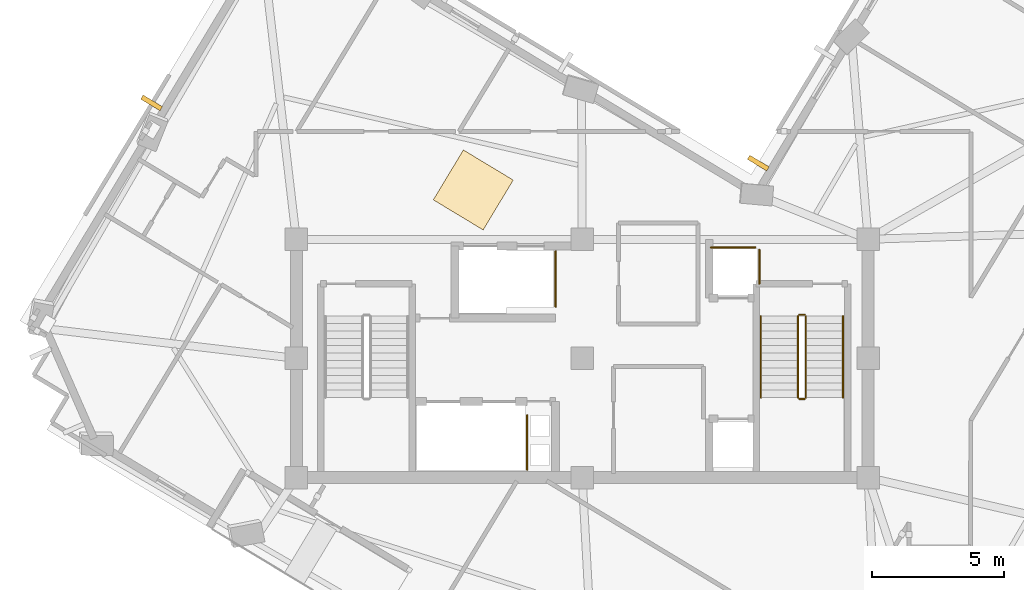
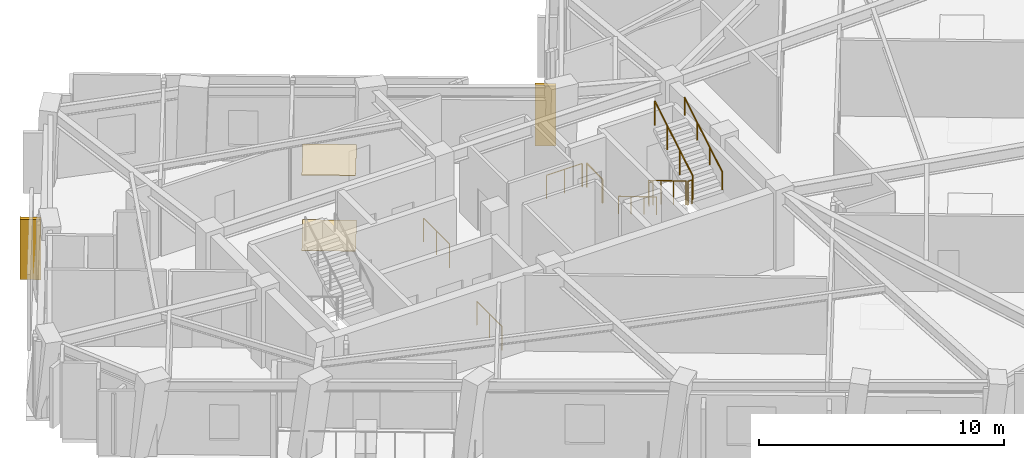
# One storey, part 10 of 12: 10 railings, 2 coverings, 2 shading devices.
"""IFC4 building model written with IfcOpenShell, lengths in metres."""

from ifc_helpers import new_model, si_unit, direction, frame, origin, origin_2d, place, context, subcontext, project, spatial, rectangle, circle, extrude, material, layer, layer_set, type_object, element, save


model = new_model("IFC4")

# Units and contexts
model_context = context("Model", 3, precision=1e-05, world=origin(), true_north=direction((0.0, 1.0)))
body_context = subcontext(model_context, "Body", "Model", "MODEL_VIEW")
ifc_project = project(units=[si_unit("LENGTHUNIT", "METRE"), si_unit("AREAUNIT", "SQUARE_METRE"), si_unit("VOLUMEUNIT", "CUBIC_METRE"), si_unit("PLANEANGLEUNIT", "RADIAN"), si_unit("MASSUNIT", "GRAM", prefix="KILO")], contexts=[model_context])

# Site, building, storey
site_placement = place(None, origin())
site = spatial("IfcSite", under=ifc_project, at=site_placement, CompositionType="ELEMENT")
building_placement = place(site_placement, origin())
building = spatial("IfcBuilding", under=site, at=building_placement, Name="Gaonmaruhae Medical Tower", CompositionType="ELEMENT")
storey_placement = place(building_placement, frame((0.0, 0.0, 276.60009765625)))
storey = spatial("IfcBuildingStorey", under=building, at=storey_placement, Name="L66", CompositionType="ELEMENT", Elevation=276.60009765625)

# Coverings
ifc_material_1 = material(Name="Acoustic mineral ceiling tile", Category="finish")
ifc_layer_1 = layer(ifc_material_1, 0.02490234375)
ifc_layer_set_1 = layer_set([ifc_layer_1], Name="Acoustic mineral ceiling tile")
covering_type_1 = type_object("IfcCoveringType", Name="CLG-01 Antimicrobial Acoustic Mineral Ceiling", PredefinedType="CEILING", material=ifc_layer_set_1)
covering_1_placement = place(storey_placement, frame((20.684814453125, 18.664306640625, 3.7548828125), z_axis=(0.0, 0.0, 1.0), x_axis=(0.516533328867, 0.8562670846, 0.0)))
element("IfcCovering", 1, at=covering_1_placement, inside=storey, type_object=covering_type_1, Name="L66 Clinical Corridor Acoustic Ceiling", PredefinedType="CEILING", context=body_context, shape_type="SweptSolid", body=[
    extrude(rectangle(XDim=2.199951171875, YDim=2.199951171875, at=origin_2d()), origin(), (0.0, 0.0, 1.0), 0.02490234375),
])
ifc_material_2 = material(Name="Seamless clinical vinyl flooring", Category="finish")
ifc_layer_2 = layer(ifc_material_2, 0.014892578125)
ifc_layer_set_2 = layer_set([ifc_layer_2], Name="Seamless clinical vinyl flooring")
covering_type_2 = type_object("IfcCoveringType", Name="FLR-01 Seamless Clinical Antistatic Vinyl Flooring", PredefinedType="FLOORING", material=ifc_layer_set_2)
covering_2_placement = place(storey_placement, frame((20.684814453125, 18.664306640625, 0.00048828125), z_axis=(0.0, 0.0, 1.0), x_axis=(0.516533328867, 0.8562670846, 0.0)))
element("IfcCovering", 2, at=covering_2_placement, inside=storey, type_object=covering_type_2, Name="L66 Clinical Corridor Vinyl Flooring", PredefinedType="FLOORING", context=body_context, shape_type="SweptSolid", body=[
    extrude(rectangle(XDim=2.199951171875, YDim=2.199951171875, at=origin_2d()), origin(), (0.0, 0.0, 1.0), 0.014892578125),
])

# Railings
ifc_material_3 = material(Name="Stainless steel 304 handrail", Category="steel")
railing_type_1 = type_object("IfcRailingType", Name="HR-092 Continuous Stainless Steel Stair Handrail", PredefinedType="HANDRAIL", material=ifc_material_3)
railing_1_placement = place(storey_placement, frame((31.550048828125, 13.89990234375, 0.16650390625)))
element("IfcRailing", 3, at=railing_1_placement, inside=storey, type_object=railing_type_1, Name="L66 ST-02 stair handrail 1", PredefinedType="HANDRAIL", context=body_context, shape_type="SweptSolid", body=[
    extrude(circle(Radius=0.02392578125, at=origin_2d()), frame((0.0, 0.0, 0.8759765625), z_axis=(0.0, -0.859260807169, 0.511537745687), x_axis=(1.0, 0.0, 0.0)), (0.0, 0.0, 1.0), 3.584228515625),
    extrude(circle(Radius=0.02099609375, at=origin_2d()), origin(), (0.0, 0.0, 1.0), 0.851806640625),
    extrude(circle(Radius=0.02099609375, at=origin_2d()), frame((0.0, -1.026611328125, 0.611083984375)), (0.0, 0.0, 1.0), 0.851806640625),
    extrude(circle(Radius=0.02099609375, at=origin_2d()), frame((0.0, -2.05322265625, 1.222412109375)), (0.0, 0.0, 1.0), 0.851806640625),
    extrude(circle(Radius=0.02099609375, at=origin_2d()), frame((0.0, -3.079833984375, 1.83349609375)), (0.0, 0.0, 1.0), 0.851806640625),
])
railing_2_placement = place(storey_placement, frame((34.64990234375, 10.820068359375, 2.16650390625)))
element("IfcRailing", 4, at=railing_2_placement, inside=storey, type_object=railing_type_1, Name="L66 ST-02 stair handrail 2", PredefinedType="HANDRAIL", context=body_context, shape_type="SweptSolid", body=[
    extrude(circle(Radius=0.02392578125, at=origin_2d()), frame((0.0, 0.0, 0.8759765625), z_axis=(0.0, 0.859260807169, 0.511537745687), x_axis=(-1.0, 0.0, 0.0)), (0.0, 0.0, 1.0), 3.584228515625),
    extrude(circle(Radius=0.02099609375, at=origin_2d()), origin(), (0.0, 0.0, 1.0), 0.851806640625),
    extrude(circle(Radius=0.02099609375, at=origin_2d()), frame((0.0, 1.026611328125, 0.611083984375)), (0.0, 0.0, 1.0), 0.851806640625),
    extrude(circle(Radius=0.02099609375, at=origin_2d()), frame((0.0, 2.05322265625, 1.222412109375)), (0.0, 0.0, 1.0), 0.851806640625),
    extrude(circle(Radius=0.02099609375, at=origin_2d()), frame((0.0, 3.079833984375, 1.83349609375)), (0.0, 0.0, 1.0), 0.851806640625),
])

# Shading devices
ifc_material_4 = material(Name="Pigmented coral precast concrete C45/55", Category="concrete")
shading_device_type = type_object("IfcShadingDeviceType", Name="SD-FIN1 Tower Vertical Coral Precast Shading Fin", PredefinedType="USERDEFINED", material=ifc_material_4)
for number, where, z_axis, x_axis, name in (
    (5, (31.451171875, 19.679443359375, 0.13232421875), (0.0, 0.0, 1.0), (0.516533328867, 0.8562670846, 0.0), "L66 Vertical Coral Precast Shading Fin EN02"),
    (6, (8.53125, 21.953125, 0.13232421875), (0.0, 0.0, 1.0), (0.516533328867, 0.8562670846, 0.0), "L66 Vertical Coral Precast Shading Fin N01"),
):
    element("IfcShadingDevice", number, at=place(storey_placement, frame(where, z_axis=z_axis, x_axis=x_axis)), inside=storey, type_object=shading_device_type, Name=name, ObjectType="FIN", PredefinedType="USERDEFINED", context=body_context, shape_type="SweptSolid", body=[
        extrude(rectangle(XDim=0.179931640625, YDim=0.85009765625, at=origin_2d()), origin(), (0.0, 0.0, 1.0), 3.0),
    ])

# Railings
ifc_material_5 = material(Name="Stainless steel 304 balustrade", Category="steel")
railing_type_2 = type_object("IfcRailingType", Name="SG-112 Stair Well & Ramp Void Safety Balustrade", PredefinedType="BALUSTRADE", material=ifc_material_5)
railing_3_placement = place(storey_placement, frame((32.949951171875, 13.89990234375, 0.16650390625)))
element("IfcRailing", 7, at=railing_3_placement, inside=storey, type_object=railing_type_2, Name="L66 ST-02 stair guard 1", PredefinedType="BALUSTRADE", context=body_context, shape_type="SweptSolid", body=[
    extrude(circle(Radius=0.02392578125, at=origin_2d()), frame((0.0, 0.0, 1.17578125), z_axis=(0.0, -0.859260807169, 0.511537745687), x_axis=(1.0, 0.0, 0.0)), (0.0, 0.0, 1.0), 3.584228515625),
    extrude(circle(Radius=0.02099609375, at=origin_2d()), origin(), (0.0, 0.0, 1.0), 1.15185546875),
    extrude(circle(Radius=0.02099609375, at=origin_2d()), frame((0.0, -1.026611328125, 0.611083984375)), (0.0, 0.0, 1.0), 1.15185546875),
    extrude(circle(Radius=0.02099609375, at=origin_2d()), frame((0.0, -2.05322265625, 1.222412109375)), (0.0, 0.0, 1.0), 1.15185546875),
    extrude(circle(Radius=0.02099609375, at=origin_2d()), frame((0.0, -3.079833984375, 1.83349609375)), (0.0, 0.0, 1.0), 1.15185546875),
])
railing_4_placement = place(storey_placement, frame((33.0, 10.77001953125, 2.0)))
element("IfcRailing", 8, at=railing_4_placement, inside=storey, type_object=railing_type_2, Name="L66 ST-02 stair guard 2", PredefinedType="BALUSTRADE", context=body_context, shape_type="SweptSolid", body=[
    extrude(circle(Radius=0.02392578125, at=origin_2d()), frame((0.0, 0.0, 1.17578125), z_axis=(1.0, 0.0, 0.0), x_axis=(0.0, 1.0, 0.0)), (0.0, 0.0, 1.0), 0.199951171875),
    extrude(circle(Radius=0.02099609375, at=origin_2d()), origin(), (0.0, 0.0, 1.0), 1.15185546875),
    extrude(circle(Radius=0.02099609375, at=origin_2d()), frame((0.199951171875, 0.0, 0.0)), (0.0, 0.0, 1.0), 1.15185546875),
])
railing_5_placement = place(storey_placement, frame((33.25, 10.820068359375, 2.16650390625)))
element("IfcRailing", 9, at=railing_5_placement, inside=storey, type_object=railing_type_2, Name="L66 ST-02 stair guard 3", PredefinedType="BALUSTRADE", context=body_context, shape_type="SweptSolid", body=[
    extrude(circle(Radius=0.02392578125, at=origin_2d()), frame((0.0, 0.0, 1.17578125), z_axis=(0.0, 0.859260807169, 0.511537745687), x_axis=(-1.0, 0.0, 0.0)), (0.0, 0.0, 1.0), 3.584228515625),
    extrude(circle(Radius=0.02099609375, at=origin_2d()), origin(), (0.0, 0.0, 1.0), 1.15185546875),
    extrude(circle(Radius=0.02099609375, at=origin_2d()), frame((0.0, 1.026611328125, 0.611083984375)), (0.0, 0.0, 1.0), 1.15185546875),
    extrude(circle(Radius=0.02099609375, at=origin_2d()), frame((0.0, 2.05322265625, 1.222412109375)), (0.0, 0.0, 1.0), 1.15185546875),
    extrude(circle(Radius=0.02099609375, at=origin_2d()), frame((0.0, 3.079833984375, 1.83349609375)), (0.0, 0.0, 1.0), 1.15185546875),
])
railing_6_placement = place(storey_placement, frame((33.0, 13.949951171875, 0.0)))
element("IfcRailing", 10, at=railing_6_placement, inside=storey, type_object=railing_type_2, Name="L66 ST-02 stair guard 4", PredefinedType="BALUSTRADE", context=body_context, shape_type="SweptSolid", body=[
    extrude(circle(Radius=0.02392578125, at=origin_2d()), frame((0.0, 0.0, 1.17578125), z_axis=(1.0, 0.0, 0.0), x_axis=(0.0, 1.0, 0.0)), (0.0, 0.0, 1.0), 0.199951171875),
    extrude(circle(Radius=0.02099609375, at=origin_2d()), origin(), (0.0, 0.0, 1.0), 1.15185546875),
    extrude(circle(Radius=0.02099609375, at=origin_2d()), frame((0.199951171875, 0.0, 0.0)), (0.0, 0.0, 1.0), 1.15185546875),
])
railing_7_placement = place(storey_placement, frame((22.719970703125, 10.159912109375, 0.0)))
element("IfcRailing", 11, at=railing_7_placement, inside=storey, type_object=railing_type_2, Name="L66 Shaft Edge Safety Guard 07", PredefinedType="BALUSTRADE", context=body_context, shape_type="SweptSolid", body=[
    extrude(circle(Radius=0.02392578125, at=origin_2d()), frame((0.0, 0.0, 1.17578125), z_axis=(0.0, -1.0, 0.0), x_axis=(1.0, 0.0, 0.0)), (0.0, 0.0, 1.0), 2.06494140625),
    extrude(circle(Radius=0.02099609375, at=origin_2d()), origin(), (0.0, 0.0, 1.0), 1.15185546875),
    extrude(circle(Radius=0.02099609375, at=origin_2d()), frame((0.0, -1.032470703125, 0.0)), (0.0, 0.0, 1.0), 1.15185546875),
    extrude(circle(Radius=0.02099609375, at=origin_2d()), frame((0.0, -2.06494140625, 0.0)), (0.0, 0.0, 1.0), 1.15185546875),
])
railing_8_placement = place(storey_placement, frame((23.794921875, 16.35498046875, 0.0)))
element("IfcRailing", 12, at=railing_8_placement, inside=storey, type_object=railing_type_2, Name="L66 Shaft Edge Safety Guard 08", PredefinedType="BALUSTRADE", context=body_context, shape_type="SweptSolid", body=[
    extrude(circle(Radius=0.02392578125, at=origin_2d()), frame((0.0, 0.0, 1.17578125), z_axis=(0.0, -1.0, 0.0), x_axis=(1.0, 0.0, 0.0)), (0.0, 0.0, 1.0), 2.10986328125),
    extrude(circle(Radius=0.02099609375, at=origin_2d()), origin(), (0.0, 0.0, 1.0), 1.15185546875),
    extrude(circle(Radius=0.02099609375, at=origin_2d()), frame((0.0, -1.054931640625, 0.0)), (0.0, 0.0, 1.0), 1.15185546875),
    extrude(circle(Radius=0.02099609375, at=origin_2d()), frame((0.0, -2.10986328125, 0.0)), (0.0, 0.0, 1.0), 1.15185546875),
])
railing_9_placement = place(storey_placement, frame((31.4951171875, 16.405029296875, 0.0)))
element("IfcRailing", 13, at=railing_9_placement, inside=storey, type_object=railing_type_2, Name="L66 Shaft Edge Safety Guard 09", PredefinedType="BALUSTRADE", context=body_context, shape_type="SweptSolid", body=[
    extrude(circle(Radius=0.02392578125, at=origin_2d()), frame((0.0, 0.0, 1.17578125), z_axis=(0.0, -1.0, 0.0), x_axis=(1.0, 0.0, 0.0)), (0.0, 0.0, 1.0), 1.284912109375),
    extrude(circle(Radius=0.02099609375, at=origin_2d()), origin(), (0.0, 0.0, 1.0), 1.15185546875),
    extrude(circle(Radius=0.02099609375, at=origin_2d()), frame((0.0, -1.284912109375, 0.0)), (0.0, 0.0, 1.0), 1.15185546875),
])
railing_10_placement = place(storey_placement, frame((29.6630859375, 16.4951171875, 0.0)))
element("IfcRailing", 14, at=railing_10_placement, inside=storey, type_object=railing_type_2, Name="L66 Shaft Edge Safety Guard 10", PredefinedType="BALUSTRADE", context=body_context, shape_type="SweptSolid", body=[
    extrude(circle(Radius=0.02392578125, at=origin_2d()), frame((0.0, 0.0, 1.17578125), z_axis=(1.0, 0.0, 0.0), x_axis=(0.0, 1.0, 0.0)), (0.0, 0.0, 1.0), 1.673828125),
    extrude(circle(Radius=0.02099609375, at=origin_2d()), origin(), (0.0, 0.0, 1.0), 1.15185546875),
    extrude(circle(Radius=0.02099609375, at=origin_2d()), frame((0.8369140625, 0.0, 0.0)), (0.0, 0.0, 1.0), 1.15185546875),
    extrude(circle(Radius=0.02099609375, at=origin_2d()), frame((1.673828125, 0.0, 0.0)), (0.0, 0.0, 1.0), 1.15185546875),
])

save(model, "model.ifc")
